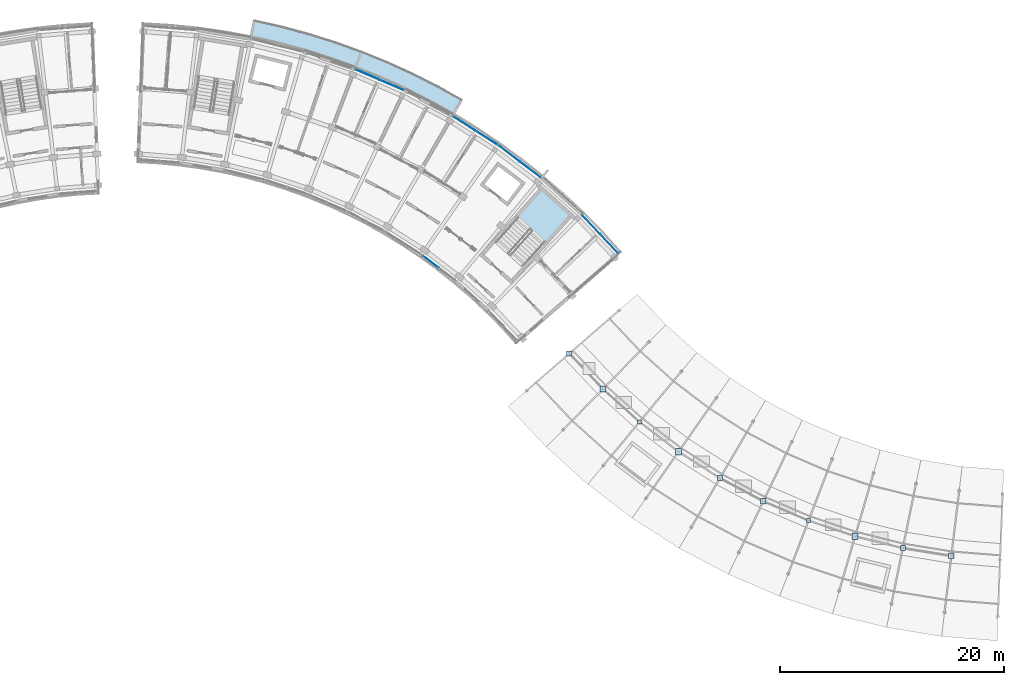
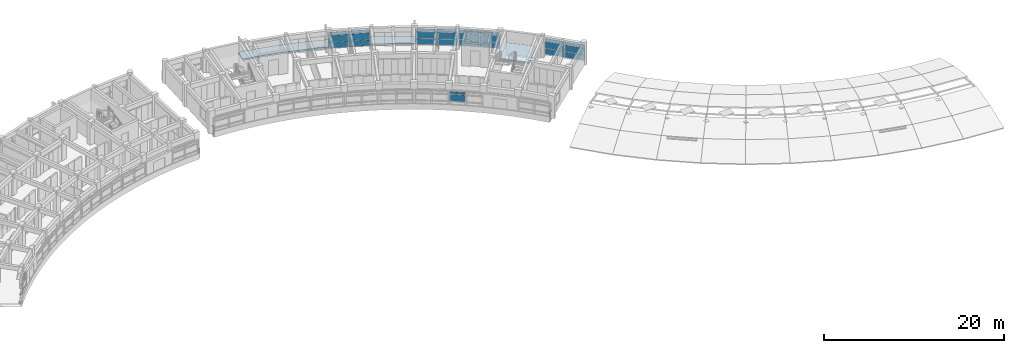
# One storey, part 23 of 40: 36 plates, 2 slabs, 6 elements without a shape of their own.
"""IFC4 building model written with IfcOpenShell, lengths in metres."""

from ifc_helpers import new_model, si_unit, direction, frame, origin, origin_2d, place, context, subcontext, project, spatial, polyline, rectangle, outline, extrude, material, layer, layer_set, type_object, element, aggregate, save


model = new_model("IFC4")

# Units and contexts
model_context = context("Model", 3, precision=1e-05, world=origin(), true_north=direction((0.0, 1.0)))
body_context = subcontext(model_context, "Body", "Model", "MODEL_VIEW")
ifc_project = project(units=[si_unit("LENGTHUNIT", "METRE"), si_unit("AREAUNIT", "SQUARE_METRE"), si_unit("VOLUMEUNIT", "CUBIC_METRE"), si_unit("PLANEANGLEUNIT", "RADIAN"), si_unit("MASSUNIT", "GRAM", prefix="KILO")], contexts=[model_context])

# Site, building, storey
site_placement = place(None, origin())
site = spatial("IfcSite", under=ifc_project, at=site_placement, CompositionType="ELEMENT")
building_placement = place(site_placement, origin())
building = spatial("IfcBuilding", under=site, at=building_placement, Name="Zimvara Arc Housing Community", CompositionType="ELEMENT")
storey_placement = place(building_placement, frame((0.0, 0.0, 32.89990234375)))
storey = spatial("IfcBuildingStorey", under=building, at=storey_placement, Name="L10", CompositionType="ELEMENT", Elevation=32.89990234375)

# Curtain wall, plates
ifc_material_1 = material(Name="Anodised Aluminium AW-6063", Category="aluminium")
curtain_wall_type_1 = type_object("IfcCurtainWallType", Name="CW-SYS-04", PredefinedType="USERDEFINED", material=ifc_material_1)
curtain_wall_1_placement = place(storey_placement, origin())
curtain_wall_1 = element("IfcCurtainWall", 1, at=curtain_wall_1_placement, inside=storey, type_object=curtain_wall_type_1, Name="cw:blkB:L10:out:b4", ObjectType="CURTAIN WALL", PredefinedType="USERDEFINED")
ifc_material_2 = material(Name="Pale-Gold Anodised Aluminium Spandrel Panel", Category="aluminium")
ifc_layer_1 = layer(ifc_material_2, 0.035888671875)
ifc_layer_set_1 = layer_set([ifc_layer_1], Name="Pale-Gold Anodised Aluminium Spandrel Panel")
plate_type_1 = type_object("IfcPlateType", Name="CWP-GLD-36", PredefinedType="CURTAIN_PANEL", material=ifc_layer_set_1)
plate_1_placement = place(storey_placement, frame((67.358642578125, 99.46875, 0.065185546875), z_axis=(0.0, 0.0, 1.0), x_axis=(0.918722299363, -0.394904211998, 0.0)))
plate_1 = element("IfcPlate", 2, at=plate_1_placement, type_object=plate_type_1, Name="CW04 panel 1.1", PredefinedType="CURTAIN_PANEL", context=body_context, shape_type="SweptSolid", body=[
    extrude(rectangle(XDim=2.266845703125, YDim=0.035888671875, at=origin_2d()), origin(), (0.0, 0.0, 1.0), 0.75244140625),
])
plate_2_placement = place(storey_placement, frame((67.358642578125, 99.46875, 0.8828125), z_axis=(0.0, 0.0, 1.0), x_axis=(0.918722299363, -0.394904211998, 0.0)))
plate_2 = element("IfcPlate", 3, at=plate_2_placement, type_object=plate_type_1, Name="CW04 panel 1.2", PredefinedType="CURTAIN_PANEL", context=body_context, shape_type="SweptSolid", body=[
    extrude(rectangle(XDim=2.266845703125, YDim=0.035888671875, at=origin_2d()), origin(), (0.0, 0.0, 1.0), 0.885009765625),
])
plate_3_placement = place(storey_placement, frame((67.358642578125, 99.46875, 1.83251953125), z_axis=(0.0, 0.0, 1.0), x_axis=(0.918722299363, -0.394904211998, 0.0)))
plate_3 = element("IfcPlate", 4, at=plate_3_placement, type_object=plate_type_1, Name="CW04 panel 1.3", PredefinedType="CURTAIN_PANEL", context=body_context, shape_type="SweptSolid", body=[
    extrude(rectangle(XDim=2.266845703125, YDim=0.035888671875, at=origin_2d()), origin(), (0.0, 0.0, 1.0), 0.3525390625),
])
plate_4_placement = place(storey_placement, frame((69.5009765625, 98.5478515625, 0.065185546875), z_axis=(0.0, 0.0, 1.0), x_axis=(0.918722299363, -0.394904211998, 0.0)))
plate_4 = element("IfcPlate", 5, at=plate_4_placement, type_object=plate_type_1, Name="CW04 panel 2.1", PredefinedType="CURTAIN_PANEL", context=body_context, shape_type="SweptSolid", body=[
    extrude(rectangle(XDim=2.266845703125, YDim=0.035888671875, at=origin_2d()), origin(), (0.0, 0.0, 1.0), 0.75244140625),
])
plate_5_placement = place(storey_placement, frame((69.5009765625, 98.5478515625, 0.8828125), z_axis=(0.0, 0.0, 1.0), x_axis=(0.918722299363, -0.394904211998, 0.0)))
plate_5 = element("IfcPlate", 6, at=plate_5_placement, type_object=plate_type_1, Name="CW04 panel 2.2", PredefinedType="CURTAIN_PANEL", context=body_context, shape_type="SweptSolid", body=[
    extrude(rectangle(XDim=2.266845703125, YDim=0.035888671875, at=origin_2d()), origin(), (0.0, 0.0, 1.0), 0.885009765625),
])
plate_6_placement = place(storey_placement, frame((69.5009765625, 98.5478515625, 1.83251953125), z_axis=(0.0, 0.0, 1.0), x_axis=(0.918722299363, -0.394904211998, 0.0)))
plate_6 = element("IfcPlate", 7, at=plate_6_placement, type_object=plate_type_1, Name="CW04 panel 2.3", PredefinedType="CURTAIN_PANEL", context=body_context, shape_type="SweptSolid", body=[
    extrude(rectangle(XDim=2.266845703125, YDim=0.035888671875, at=origin_2d()), origin(), (0.0, 0.0, 1.0), 0.3525390625),
])
aggregate(curtain_wall_1, [plate_1, plate_2, plate_3, plate_4, plate_5, plate_6])

ifc_material_3 = material(Name="Anodised Aluminium AW-6063", Category="aluminium")
curtain_wall_type_2 = type_object("IfcCurtainWallType", Name="CW-SYS-01", PredefinedType="USERDEFINED", material=ifc_material_3)
curtain_wall_2_placement = place(storey_placement, origin())
curtain_wall_2 = element("IfcCurtainWall", 8, at=curtain_wall_2_placement, inside=storey, type_object=curtain_wall_type_2, Name="cw:blkB:L10:out:b7", ObjectType="CURTAIN WALL", PredefinedType="USERDEFINED")
ifc_material_4 = material(Name="Solar Control Low-E Double Glazing", Category="glass")
ifc_layer_2 = layer(ifc_material_4, 0.02392578125)
ifc_layer_set_2 = layer_set([ifc_layer_2], Name="Solar Control Low-E Double Glazing")
plate_type_2 = type_object("IfcPlateType", Name="CWP-GLZ-24", PredefinedType="CURTAIN_PANEL", material=ifc_layer_set_2)
plate_7_placement = place(storey_placement, frame((80.026123046875, 92.40234375, 0.065185546875), z_axis=(0.0, 0.0, 1.0), x_axis=(0.795473999177, -0.60598771987, 0.0)))
plate_7 = element("IfcPlate", 9, at=plate_7_placement, type_object=plate_type_2, Name="CW01 panel 1.1", PredefinedType="CURTAIN_PANEL", context=body_context, shape_type="SweptSolid", body=[
    extrude(rectangle(XDim=2.266845703125, YDim=0.02392578125, at=origin_2d()), origin(), (0.0, 0.0, 1.0), 0.75244140625),
])
plate_8_placement = place(storey_placement, frame((80.026123046875, 92.40234375, 0.8828125), z_axis=(0.0, 0.0, 1.0), x_axis=(0.795473999177, -0.60598771987, 0.0)))
plate_8 = element("IfcPlate", 10, at=plate_8_placement, type_object=plate_type_2, Name="CW01 panel 1.2", PredefinedType="CURTAIN_PANEL", context=body_context, shape_type="SweptSolid", body=[
    extrude(rectangle(XDim=2.266845703125, YDim=0.02392578125, at=origin_2d()), origin(), (0.0, 0.0, 1.0), 0.885009765625),
])
plate_9_placement = place(storey_placement, frame((80.026123046875, 92.40234375, 1.83251953125), z_axis=(0.0, 0.0, 1.0), x_axis=(0.795473999177, -0.60598771987, 0.0)))
plate_9 = element("IfcPlate", 11, at=plate_9_placement, type_object=plate_type_2, Name="CW01 panel 1.3", PredefinedType="CURTAIN_PANEL", context=body_context, shape_type="SweptSolid", body=[
    extrude(rectangle(XDim=2.266845703125, YDim=0.02392578125, at=origin_2d()), origin(), (0.0, 0.0, 1.0), 0.3525390625),
])
plate_10_placement = place(storey_placement, frame((81.881103515625, 90.9892578125, 0.065185546875), z_axis=(0.0, 0.0, 1.0), x_axis=(0.795473999177, -0.60598771987, 0.0)))
plate_10 = element("IfcPlate", 12, at=plate_10_placement, type_object=plate_type_2, Name="CW01 panel 2.1", PredefinedType="CURTAIN_PANEL", context=body_context, shape_type="SweptSolid", body=[
    extrude(rectangle(XDim=2.266845703125, YDim=0.02392578125, at=origin_2d()), origin(), (0.0, 0.0, 1.0), 0.75244140625),
])
plate_11_placement = place(storey_placement, frame((81.881103515625, 90.9892578125, 0.8828125), z_axis=(0.0, 0.0, 1.0), x_axis=(0.795473999177, -0.60598771987, 0.0)))
plate_11 = element("IfcPlate", 13, at=plate_11_placement, type_object=plate_type_2, Name="CW01 panel 2.2", PredefinedType="CURTAIN_PANEL", context=body_context, shape_type="SweptSolid", body=[
    extrude(rectangle(XDim=2.266845703125, YDim=0.02392578125, at=origin_2d()), origin(), (0.0, 0.0, 1.0), 0.885009765625),
])
plate_12_placement = place(storey_placement, frame((81.881103515625, 90.9892578125, 1.83251953125), z_axis=(0.0, 0.0, 1.0), x_axis=(0.795473999177, -0.60598771987, 0.0)))
plate_12 = element("IfcPlate", 14, at=plate_12_placement, type_object=plate_type_2, Name="CW01 panel 2.3", PredefinedType="CURTAIN_PANEL", context=body_context, shape_type="SweptSolid", body=[
    extrude(rectangle(XDim=2.266845703125, YDim=0.02392578125, at=origin_2d()), origin(), (0.0, 0.0, 1.0), 0.3525390625),
])
aggregate(curtain_wall_2, [plate_7, plate_8, plate_9, plate_10, plate_11, plate_12])

ifc_material_5 = material(Name="Anodised Aluminium AW-6063", Category="aluminium")
curtain_wall_type_3 = type_object("IfcCurtainWallType", Name="CW-SYS-02", PredefinedType="USERDEFINED", material=ifc_material_5)
curtain_wall_3_placement = place(storey_placement, origin())
curtain_wall_3 = element("IfcCurtainWall", 15, at=curtain_wall_3_placement, inside=storey, type_object=curtain_wall_type_3, Name="cw:blkB:L10:in:b7", ObjectType="CURTAIN WALL", PredefinedType="USERDEFINED")
ifc_material_6 = material(Name="Solar Control Low-E Double Glazing", Category="glass")
ifc_layer_3 = layer(ifc_material_6, 0.028076171875)
ifc_layer_set_3 = layer_set([ifc_layer_3], Name="Solar Control Low-E Double Glazing")
plate_type_3 = type_object("IfcPlateType", Name="CWP-GLZ-28", PredefinedType="CURTAIN_PANEL", material=ifc_layer_set_3)
plate_13_placement = place(storey_placement, frame((72.978759765625, 82.74853515625, 0.8828125), z_axis=(0.0, 0.0, 1.0), x_axis=(0.795473930895, -0.605987809503, 0.0)))
plate_13 = element("IfcPlate", 16, at=plate_13_placement, type_object=plate_type_3, Name="CW02 panel 1.2", PredefinedType="CURTAIN_PANEL", context=body_context, shape_type="SweptSolid", body=[
    extrude(rectangle(XDim=1.778564453125, YDim=0.028076171875, at=origin_2d()), origin(), (0.0, 0.0, 1.0), 0.885009765625),
])
plate_14_placement = place(storey_placement, frame((72.978759765625, 82.74853515625, 1.83251953125), z_axis=(0.0, 0.0, 1.0), x_axis=(0.795473930895, -0.605987809503, 0.0)))
plate_14 = element("IfcPlate", 17, at=plate_14_placement, type_object=plate_type_3, Name="CW02 panel 1.3", PredefinedType="CURTAIN_PANEL", context=body_context, shape_type="SweptSolid", body=[
    extrude(rectangle(XDim=1.778564453125, YDim=0.028076171875, at=origin_2d()), origin(), (0.0, 0.0, 1.0), 0.3525390625),
])
aggregate(curtain_wall_3, [plate_13, plate_14])

ifc_material_7 = material(Name="Anodised Aluminium AW-6063", Category="aluminium")
curtain_wall_type_4 = type_object("IfcCurtainWallType", Name="CW-SYS-07", PredefinedType="USERDEFINED", material=ifc_material_7)
curtain_wall_4_placement = place(storey_placement, origin())
curtain_wall_4 = element("IfcCurtainWall", 18, at=curtain_wall_4_placement, inside=storey, type_object=curtain_wall_type_4, Name="cw:blkB:L10:out:b6", ObjectType="CURTAIN WALL", PredefinedType="USERDEFINED")
ifc_material_8 = material(Name="Acoustic Laminated Solar Glazing", Category="glass")
ifc_layer_4 = layer(ifc_material_8, 0.031982421875)
ifc_layer_set_4 = layer_set([ifc_layer_4], Name="Acoustic Laminated Solar Glazing")
plate_type_4 = type_object("IfcPlateType", Name="CWP-GLZ-32", PredefinedType="CURTAIN_PANEL", material=ifc_layer_set_4)
plate_15_placement = place(storey_placement, frame((76.0009765625, 95.1005859375, 0.065185546875), z_axis=(0.0, 0.0, 1.0), x_axis=(0.842264410931, -0.539064617721, 0.0)))
plate_15 = element("IfcPlate", 19, at=plate_15_placement, type_object=plate_type_4, Name="CW07 panel 1.1", PredefinedType="CURTAIN_PANEL", context=body_context, shape_type="SweptSolid", body=[
    extrude(rectangle(XDim=2.266845703125, YDim=0.031982421875, at=origin_2d()), origin(), (0.0, 0.0, 1.0), 0.75244140625),
])
plate_16_placement = place(storey_placement, frame((76.0009765625, 95.1005859375, 0.8828125), z_axis=(0.0, 0.0, 1.0), x_axis=(0.842264410931, -0.539064617721, 0.0)))
plate_16 = element("IfcPlate", 20, at=plate_16_placement, type_object=plate_type_4, Name="CW07 panel 1.2", PredefinedType="CURTAIN_PANEL", context=body_context, shape_type="SweptSolid", body=[
    extrude(rectangle(XDim=2.266845703125, YDim=0.031982421875, at=origin_2d()), origin(), (0.0, 0.0, 1.0), 0.885009765625),
])
plate_17_placement = place(storey_placement, frame((76.0009765625, 95.1005859375, 1.83251953125), z_axis=(0.0, 0.0, 1.0), x_axis=(0.842264410931, -0.539064617721, 0.0)))
plate_17 = element("IfcPlate", 21, at=plate_17_placement, type_object=plate_type_4, Name="CW07 panel 1.3", PredefinedType="CURTAIN_PANEL", context=body_context, shape_type="SweptSolid", body=[
    extrude(rectangle(XDim=2.266845703125, YDim=0.031982421875, at=origin_2d()), origin(), (0.0, 0.0, 1.0), 0.3525390625),
])
plate_18_placement = place(storey_placement, frame((77.965087890625, 93.843505859375, 0.065185546875), z_axis=(0.0, 0.0, 1.0), x_axis=(0.842264410931, -0.539064617721, 0.0)))
plate_18 = element("IfcPlate", 22, at=plate_18_placement, type_object=plate_type_4, Name="CW07 panel 2.1", PredefinedType="CURTAIN_PANEL", context=body_context, shape_type="SweptSolid", body=[
    extrude(rectangle(XDim=2.266845703125, YDim=0.031982421875, at=origin_2d()), origin(), (0.0, 0.0, 1.0), 0.75244140625),
])
plate_19_placement = place(storey_placement, frame((77.965087890625, 93.843505859375, 0.8828125), z_axis=(0.0, 0.0, 1.0), x_axis=(0.842264410931, -0.539064617721, 0.0)))
plate_19 = element("IfcPlate", 23, at=plate_19_placement, type_object=plate_type_4, Name="CW07 panel 2.2", PredefinedType="CURTAIN_PANEL", context=body_context, shape_type="SweptSolid", body=[
    extrude(rectangle(XDim=2.266845703125, YDim=0.031982421875, at=origin_2d()), origin(), (0.0, 0.0, 1.0), 0.885009765625),
])
plate_20_placement = place(storey_placement, frame((77.965087890625, 93.843505859375, 1.83251953125), z_axis=(0.0, 0.0, 1.0), x_axis=(0.842264410931, -0.539064617721, 0.0)))
plate_20 = element("IfcPlate", 24, at=plate_20_placement, type_object=plate_type_4, Name="CW07 panel 2.3", PredefinedType="CURTAIN_PANEL", context=body_context, shape_type="SweptSolid", body=[
    extrude(rectangle(XDim=2.266845703125, YDim=0.031982421875, at=origin_2d()), origin(), (0.0, 0.0, 1.0), 0.3525390625),
])
aggregate(curtain_wall_4, [plate_15, plate_16, plate_17, plate_18, plate_19, plate_20])

ifc_material_9 = material(Name="Anodised Aluminium AW-6063", Category="aluminium")
curtain_wall_type_5 = type_object("IfcCurtainWallType", Name="CW-SYS-03", PredefinedType="USERDEFINED", material=ifc_material_9)
curtain_wall_5_placement = place(storey_placement, origin())
curtain_wall_5 = element("IfcCurtainWall", 25, at=curtain_wall_5_placement, inside=storey, type_object=curtain_wall_type_5, Name="cw:blkB:L10:out:b9", ObjectType="CURTAIN WALL", PredefinedType="USERDEFINED")
plate_21_placement = place(storey_placement, frame((87.350341796875, 86.068115234375, 0.065185546875), z_axis=(0.0, 0.0, 1.0), x_axis=(0.686326416495, -0.727293647725, 0.0)))
plate_21 = element("IfcPlate", 26, at=plate_21_placement, type_object=plate_type_4, Name="CW03 panel 1.1", PredefinedType="CURTAIN_PANEL", context=body_context, shape_type="SweptSolid", body=[
    extrude(rectangle(XDim=2.266845703125, YDim=0.031982421875, at=origin_2d()), origin(), (0.0, 0.0, 1.0), 0.75244140625),
])
plate_22_placement = place(storey_placement, frame((87.350341796875, 86.068115234375, 0.8828125), z_axis=(0.0, 0.0, 1.0), x_axis=(0.686326416495, -0.727293647725, 0.0)))
plate_22 = element("IfcPlate", 27, at=plate_22_placement, type_object=plate_type_4, Name="CW03 panel 1.2", PredefinedType="CURTAIN_PANEL", context=body_context, shape_type="SweptSolid", body=[
    extrude(rectangle(XDim=2.266845703125, YDim=0.031982421875, at=origin_2d()), origin(), (0.0, 0.0, 1.0), 0.885009765625),
])
plate_23_placement = place(storey_placement, frame((87.350341796875, 86.068115234375, 1.83251953125), z_axis=(0.0, 0.0, 1.0), x_axis=(0.686326416495, -0.727293647725, 0.0)))
plate_23 = element("IfcPlate", 28, at=plate_23_placement, type_object=plate_type_4, Name="CW03 panel 1.3", PredefinedType="CURTAIN_PANEL", context=body_context, shape_type="SweptSolid", body=[
    extrude(rectangle(XDim=2.266845703125, YDim=0.031982421875, at=origin_2d()), origin(), (0.0, 0.0, 1.0), 0.3525390625),
])
plate_24_placement = place(storey_placement, frame((88.950927734375, 84.3720703125, 0.065185546875), z_axis=(0.0, 0.0, 1.0), x_axis=(0.686326416495, -0.727293647725, 0.0)))
plate_24 = element("IfcPlate", 29, at=plate_24_placement, type_object=plate_type_4, Name="CW03 panel 2.1", PredefinedType="CURTAIN_PANEL", context=body_context, shape_type="SweptSolid", body=[
    extrude(rectangle(XDim=2.266845703125, YDim=0.031982421875, at=origin_2d()), origin(), (0.0, 0.0, 1.0), 0.75244140625),
])
plate_25_placement = place(storey_placement, frame((88.950927734375, 84.3720703125, 0.8828125), z_axis=(0.0, 0.0, 1.0), x_axis=(0.686326416495, -0.727293647725, 0.0)))
plate_25 = element("IfcPlate", 30, at=plate_25_placement, type_object=plate_type_4, Name="CW03 panel 2.2", PredefinedType="CURTAIN_PANEL", context=body_context, shape_type="SweptSolid", body=[
    extrude(rectangle(XDim=2.266845703125, YDim=0.031982421875, at=origin_2d()), origin(), (0.0, 0.0, 1.0), 0.885009765625),
])
plate_26_placement = place(storey_placement, frame((88.950927734375, 84.3720703125, 1.83251953125), z_axis=(0.0, 0.0, 1.0), x_axis=(0.686326416495, -0.727293647725, 0.0)))
plate_26 = element("IfcPlate", 31, at=plate_26_placement, type_object=plate_type_4, Name="CW03 panel 2.3", PredefinedType="CURTAIN_PANEL", context=body_context, shape_type="SweptSolid", body=[
    extrude(rectangle(XDim=2.266845703125, YDim=0.031982421875, at=origin_2d()), origin(), (0.0, 0.0, 1.0), 0.3525390625),
])
aggregate(curtain_wall_5, [plate_21, plate_22, plate_23, plate_24, plate_25, plate_26])

# Plates
ifc_material_10 = material(Name="Steel S355", Category="steel")
ifc_layer_5 = layer(ifc_material_10, 0.02490234375)
ifc_layer_set_5 = layer_set([ifc_layer_5], Name="Steel S355")
plate_type_5 = type_object("IfcPlateType", Name="PLT-CONN-01", PredefinedType="SHEET", material=ifc_layer_set_5)
for number, where, z_axis, x_axis, name in (
    (32, (85.376708984375, 74.56396484375, 0.757568359375), (0.0, 0.0, 1.0), (1.0, 0.0, 0.0), "plate:brace_end:021"),
    (33, (98.8525390625, 63.39990234375, 0.757568359375), (0.0, 0.0, 1.0), (1.0, 0.0, 0.0), "plate:brace_end:025"),
    (34, (115.19873046875, 57.1513671875, 0.757568359375), (0.0, 0.0, 1.0), (1.0, 0.0, 0.0), "plate:brace_end:029"),
):
    element("IfcPlate", number, at=place(storey_placement, frame(where, z_axis=z_axis, x_axis=x_axis)), inside=storey, type_object=plate_type_5, Name=name, PredefinedType="SHEET", context=body_context, shape_type="SweptSolid", body=[
        extrude(rectangle(XDim=0.449951171875, YDim=0.449951171875, at=origin_2d()), origin(), (0.0, 0.0, 1.0), 0.02490234375),
    ])
ifc_material_11 = material(Name="Steel S355", Category="steel")
ifc_layer_6 = layer(ifc_material_11, 0.030029296875)
ifc_layer_set_6 = layer_set([ifc_layer_6], Name="Steel S355")
plate_type_6 = type_object("IfcPlateType", Name="PLT-CONN-02", PredefinedType="SHEET", material=ifc_layer_set_6)
for number, where, z_axis, x_axis, name in (
    (35, (88.391845703125, 71.368896484375, 0.7548828125), (0.0, 0.0, 1.0), (1.0, 0.0, 0.0), "plate:brace_end:022"),
    (36, (102.73388671875, 61.34130859375, 0.7548828125), (0.0, 0.0, 1.0), (1.0, 0.0, 0.0), "plate:brace_end:026"),
    (37, (119.535400390625, 56.447509765625, 0.7548828125), (0.0, 0.0, 1.0), (1.0, 0.0, 0.0), "plate:brace_end:030"),
):
    element("IfcPlate", number, at=place(storey_placement, frame(where, z_axis=z_axis, x_axis=x_axis)), inside=storey, type_object=plate_type_6, Name=name, PredefinedType="SHEET", context=body_context, shape_type="SweptSolid", body=[
        extrude(rectangle(XDim=0.5, YDim=0.5, at=origin_2d()), origin(), (0.0, 0.0, 1.0), 0.030029296875),
    ])
ifc_material_12 = material(Name="Steel S355", Category="steel")
ifc_layer_7 = layer(ifc_material_12, 0.02197265625)
ifc_layer_set_7 = layer_set([ifc_layer_7], Name="Steel S355")
plate_type_7 = type_object("IfcPlateType", Name="PLT-CONN-03", PredefinedType="SHEET", material=ifc_layer_set_7)
for number, where, z_axis, x_axis, name in (
    (38, (91.65771484375, 68.430419921875, 0.759033203125), (0.0, 0.0, 1.0), (1.0, 0.0, 0.0), "plate:brace_end:023"),
    (39, (106.77001953125, 59.6064453125, 0.759033203125), (0.0, 0.0, 1.0), (1.0, 0.0, 0.0), "plate:brace_end:027"),
):
    element("IfcPlate", number, at=place(storey_placement, frame(where, z_axis=z_axis, x_axis=x_axis)), inside=storey, type_object=plate_type_7, Name=name, PredefinedType="SHEET", context=body_context, shape_type="SweptSolid", body=[
        extrude(rectangle(XDim=0.3798828125, YDim=0.3798828125, at=origin_2d()), origin(), (0.0, 0.0, 1.0), 0.02197265625),
    ])
ifc_material_13 = material(Name="Steel S355", Category="steel")
ifc_layer_8 = layer(ifc_material_13, 0.034912109375)
ifc_layer_set_8 = layer_set([ifc_layer_8], Name="Steel S355")
plate_type_8 = type_object("IfcPlateType", Name="PLT-CONN-04", PredefinedType="SHEET", material=ifc_layer_set_8)
for number, where, z_axis, x_axis, name in (
    (40, (95.15234375, 65.76806640625, 0.75244140625), (0.0, 0.0, 1.0), (1.0, 0.0, 0.0), "plate:brace_end:024"),
    (41, (110.934326171875, 58.206787109375, 0.75244140625), (0.0, 0.0, 1.0), (1.0, 0.0, 0.0), "plate:brace_end:028"),
):
    element("IfcPlate", number, at=place(storey_placement, frame(where, z_axis=z_axis, x_axis=x_axis)), inside=storey, type_object=plate_type_8, Name=name, PredefinedType="SHEET", context=body_context, shape_type="SweptSolid", body=[
        extrude(rectangle(XDim=0.550048828125, YDim=0.550048828125, at=origin_2d()), origin(), (0.0, 0.0, 1.0), 0.034912109375),
    ])

# Stair, slab
ifc_material_14 = material(Name="Concrete C35/45", Category="concrete")
stair_type = type_object("IfcStairType", Name="STR-DL-318-310", PredefinedType="HALF_TURN_STAIR", material=ifc_material_14)
stair_placement = place(storey_placement, origin())
stair = element("IfcStair", 42, at=stair_placement, inside=storey, type_object=stair_type, Name="L10 Block B Exit Stair 2", PredefinedType="HALF_TURN_STAIR")
ifc_material_15 = material(Name="Concrete C35/45", Category="concrete")
ifc_layer_9 = layer(ifc_material_15, 0.199951171875)
ifc_layer_set_9 = layer_set([ifc_layer_9], Name="Concrete C35/45")
slab_type_1 = type_object("IfcSlabType", Name="SLB-STAIR-LND-200", PredefinedType="LANDING", material=ifc_layer_set_9)
slab_1_placement = place(storey_placement, frame((0.0, 0.0, 1.35009765625)))
slab_1 = element("IfcSlab", 43, at=slab_1_placement, type_object=slab_type_1, Name="ST-B2 landing 1", PredefinedType="LANDING", context=body_context, shape_type="SweptSolid", body=[
    extrude(outline(polyline([(83.185302734375, 84.42724609375), (85.404541015625, 86.8935546875), (82.90673828125, 89.14111328125), (80.6875, 86.674560546875), (83.185302734375, 84.42724609375)])), origin(), (0.0, 0.0, 1.0), 0.199951171875),
])
aggregate(stair, [slab_1])

# Slab
ifc_material_16 = material(Name="Concrete C35/45", Category="concrete")
ifc_layer_10 = layer(ifc_material_16, 0.2099609375)
ifc_layer_set_10 = layer_set([ifc_layer_10], Name="Concrete C35/45")
slab_type_2 = type_object("IfcSlabType", Name="SLB-TER-210", PredefinedType="FLOOR", material=ifc_layer_set_10)
slab_2_placement = place(storey_placement, frame((0.0, 0.0, -0.2099609375)))
element("IfcSlab", 44, at=slab_2_placement, inside=storey, type_object=slab_type_2, Name="slab:blkB:L10:bal_out", PredefinedType="FLOOR", context=body_context, shape_type="SweptSolid", body=[
    extrude(outline(polyline([(57.244140625, 104.360595703125), (56.949462890625, 102.92041015625), (56.9501953125, 102.92041015625), (59.32421875, 102.384033203125), (59.325439453125, 102.3837890625), (61.675537109375, 101.750732421875), (61.6767578125, 101.75048828125), (63.999267578125, 101.022216796875), (64.00048828125, 101.02197265625), (66.291259765625, 100.199462890625), (66.292236328125, 100.198974609375), (68.547607421875, 99.28369140625), (68.548583984375, 99.283203125), (70.7646484375, 98.276611328125), (70.765869140625, 98.27587890625), (72.93896484375, 97.1796875), (72.93994140625, 97.17919921875), (75.06640625, 95.9951171875), (75.06689453125, 95.994873046875), (75.80810546875, 97.26416015625), (74.724365234375, 97.88232421875), (73.628173828125, 98.47802734375), (72.52001953125, 99.051513671875), (71.400390625, 99.60205078125), (70.269775390625, 100.129638671875), (69.128662109375, 100.634033203125), (67.9775390625, 101.114990234375), (66.816650390625, 101.572265625), (65.646728515625, 102.005859375), (64.46826171875, 102.41552734375), (63.281494140625, 102.80078125), (62.08740234375, 103.162109375), (60.885986328125, 103.498779296875), (59.677978515625, 103.810791015625), (58.4638671875, 104.09814453125), (57.244140625, 104.360595703125)])), origin(), (0.0, 0.0, 1.0), 0.2099609375),
])

save(model, "model.ifc")
